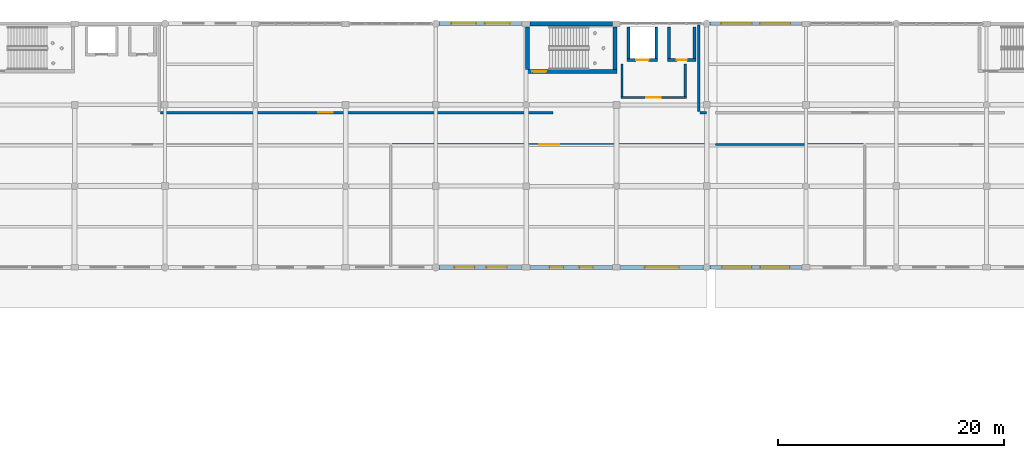
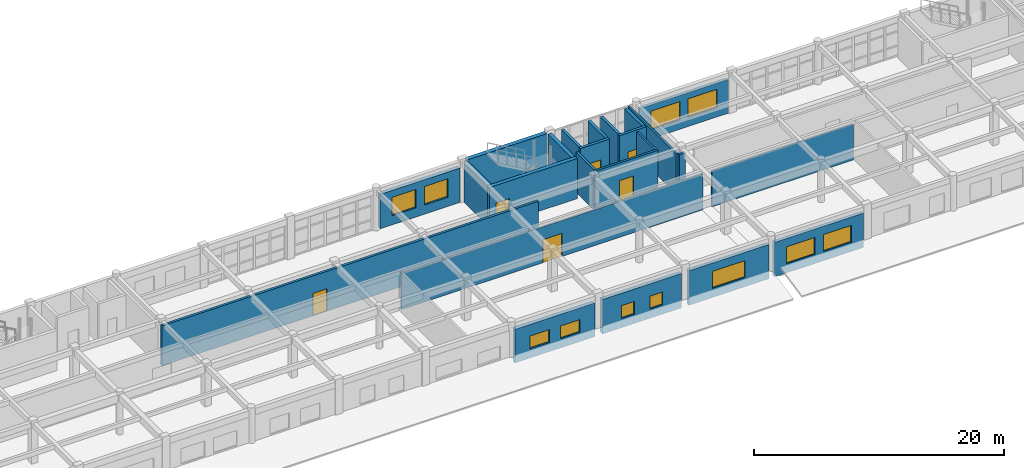
# One storey, part 108 of 121: 24 walls, 11 windows, 6 doors, 17 openings.
"""IFC4 building model written with IfcOpenShell, lengths in metres."""

from ifc_helpers import new_model, si_unit, direction, frame, frame_2d, origin, place, context, subcontext, project, spatial, rectangle, extrude, material, layer, layer_set, type_object, element, fill, save


model = new_model("IFC4")

# Units and contexts
model_context = context("Model", 3, precision=1e-05, world=origin(), true_north=direction((0.0, 1.0)))
body_context = subcontext(model_context, "Body", "Model", "MODEL_VIEW")
ifc_project = project(units=[si_unit("LENGTHUNIT", "METRE"), si_unit("AREAUNIT", "SQUARE_METRE"), si_unit("VOLUMEUNIT", "CUBIC_METRE"), si_unit("PLANEANGLEUNIT", "RADIAN"), si_unit("MASSUNIT", "GRAM", prefix="KILO")], contexts=[model_context])

# Site, building, storey
site_placement = place(None, origin())
site = spatial("IfcSite", under=ifc_project, at=site_placement, CompositionType="ELEMENT")
building_placement = place(site_placement, origin())
building = spatial("IfcBuilding", under=site, at=building_placement, Name="Kharva Crest Polytechnic", CompositionType="ELEMENT")
storey_placement = place(building_placement, frame((0.0, 0.0, 13.199951171875)))
storey = spatial("IfcBuildingStorey", under=building, at=storey_placement, Name="L03", CompositionType="ELEMENT", Elevation=13.199951171875)

# Wall, opening, door
ifc_material_1 = material(Name="Concrete C40/50", Category="concrete")
ifc_layer_1 = layer(ifc_material_1, 0.35009765625, Name="Concrete C40/50")
ifc_layer_set_1 = layer_set([ifc_layer_1], Name="Concrete C40/50")
wall_type_1 = type_object("IfcWallType", Name="WL-CORE-CW1-350", PredefinedType="SHEAR", material=ifc_layer_set_1)
wall_1_placement = place(storey_placement, frame((103.949951171875, 117.764892578125, 0.0), z_axis=(0.0, 0.0, 1.0), x_axis=(1.0, 0.0, 0.0)))
wall_1 = element("IfcWall", 1, at=wall_1_placement, inside=storey, type_object=wall_type_1, Name="L03 North Crest Firefighting Core C4 South Shear Wall", PredefinedType="SHEAR", context=body_context, shape_type="SweptSolid", body=[
    extrude(rectangle(XDim=8.10009765625, YDim=0.35009765625, at=frame_2d((4.050048828125, 0.0))), origin(), (0.0, 0.0, 1.0), 3.920166015625),
])
opening_1_placement = place(wall_1_placement, frame((0.60009765625, 0.0, 0.0)))
opening_1 = element("IfcOpeningElement", 2, at=opening_1_placement, cuts=wall_1, Name="Opening FD1B", PredefinedType="OPENING", context=body_context, shape_type="SweptSolid", body=[
    extrude(rectangle(XDim=1.25, YDim=2.199951171875, at=frame_2d((0.625, 1.10009765625))), frame((0.0, 0.18505859375, 0.0), z_axis=(0.0, -1.0, 0.0), x_axis=(1.0, 0.0, 0.0)), (0.0, 0.0, 1.0), 0.3701171875),
])
ifc_material_2 = material(Name="Teak timber", Category="wood")
door_type_1 = type_object("IfcDoorType", Name="DR-STAIR-1250X2200", OperationType="NOTDEFINED", PredefinedType="DOOR", material=ifc_material_2)
door_1_placement = place(opening_1_placement, origin())
door_1 = element("IfcDoor", 3, at=door_1_placement, inside=storey, type_object=door_type_1, Name="L03 ST-04 Stair Door", OperationType="SINGLE_SWING_RIGHT", OverallHeight=2.199951171875, OverallWidth=1.25, PredefinedType="DOOR", context=body_context, shape_type="SweptSolid", body=[
    extrude(rectangle(XDim=1.25, YDim=2.199951171875, at=frame_2d((0.625, 1.10009765625))), frame((0.0, 0.02490234375, 0.0), z_axis=(0.0, -1.0, 0.0), x_axis=(1.0, 0.0, 0.0)), (0.0, 0.0, 1.0), 0.050048828125),
])
fill(opening_1, door_1)

# Walls
for number, where, z_axis, x_axis, name in (
    (4, (104.125, 117.93994140625, 0.0), (0.0, 0.0, 1.0), (0.0, 1.0, 0.0), "L03 North Crest Firefighting Core C4 West Shear Wall"),
    (5, (111.875, 117.93994140625, 0.0), (0.0, 0.0, 1.0), (0.0, 1.0, 0.0), "L03 North Crest Firefighting Core C4 East Shear Wall"),
):
    element("IfcWall", number, at=place(storey_placement, frame(where, z_axis=z_axis, x_axis=x_axis)), inside=storey, type_object=wall_type_1, Name=name, PredefinedType="SHEAR", context=body_context, shape_type="SweptSolid", body=[
        extrude(rectangle(XDim=3.760009765625, YDim=0.35009765625, at=frame_2d((1.8798828125, 0.0))), origin(), (0.0, 0.0, 1.0), 3.920166015625),
    ])

# Wall, openings, windows
ifc_material_3 = material(Name="Kiln brick masonry", Category="masonry")
ifc_layer_2 = layer(ifc_material_3, 0.27490234375, Name="Kiln brick masonry")
ifc_layer_set_2 = layer_set([ifc_layer_2], Name="Kiln brick masonry")
wall_type_2 = type_object("IfcWallType", Name="WL-EXT-BRK-275", PredefinedType="SOLIDWALL", material=ifc_layer_set_2)
wall_2_placement = place(storey_placement, frame((128.465087890625, 122.0, 0.0), z_axis=(0.0, 0.0, 1.0), x_axis=(-1.0, 0.0, 0.0)))
wall_2 = element("IfcWall", 6, at=wall_2_placement, inside=storey, type_object=wall_type_2, Name="L03 Exterior Brick Wall 348", PredefinedType="SOLIDWALL", context=body_context, shape_type="SweptSolid", body=[
    extrude(rectangle(XDim=8.1962890625, YDim=0.27490234375, at=frame_2d((4.09814453125, 0.0))), origin(), (0.0, 0.0, 1.0), 3.31005859375),
])
opening_2_placement = place(wall_2_placement, frame((1.0390625, 0.0, 0.89990234375)))
opening_2 = element("IfcOpeningElement", 7, at=opening_2_placement, cuts=wall_2, Name="Opening W01", PredefinedType="OPENING", context=body_context, shape_type="SweptSolid", body=[
    extrude(rectangle(XDim=2.699951171875, YDim=1.800048828125, at=frame_2d((1.35009765625, 0.89990234375))), frame((0.0, 0.1474609375, 0.0), z_axis=(0.0, -1.0, 0.0), x_axis=(1.0, 0.0, 0.0)), (0.0, 0.0, 1.0), 0.294921875),
])
opening_3_placement = place(wall_2_placement, frame((4.45703125, 0.0, 0.89990234375)))
opening_3 = element("IfcOpeningElement", 8, at=opening_3_placement, cuts=wall_2, Name="Opening W01", PredefinedType="OPENING", context=body_context, shape_type="SweptSolid", body=[
    extrude(rectangle(XDim=2.699951171875, YDim=1.800048828125, at=frame_2d((1.35009765625, 0.89990234375))), frame((0.0, 0.1474609375, 0.0), z_axis=(0.0, -1.0, 0.0), x_axis=(1.0, 0.0, 0.0)), (0.0, 0.0, 1.0), 0.294921875),
])
ifc_material_4 = material(Name="Anodised aluminium", Category="aluminium")
window_type_1 = type_object("IfcWindowType", Name="WIN-ALU-2700X1800", PartitioningType="SINGLE_PANEL", PredefinedType="WINDOW", material=ifc_material_4)
window_1_placement = place(opening_2_placement, origin())
window_1 = element("IfcWindow", 9, at=window_1_placement, inside=storey, type_object=window_type_1, Name="L03 Exterior Window 477", OverallHeight=1.800048828125, OverallWidth=2.699951171875, PartitioningType="SINGLE_PANEL", PredefinedType="WINDOW", context=body_context, shape_type="SweptSolid", body=[
    extrude(rectangle(XDim=2.699951171875, YDim=1.800048828125, at=frame_2d((1.35009765625, 0.89990234375))), frame((0.0, 0.030029296875, 0.0), z_axis=(0.0, -1.0, 0.0), x_axis=(1.0, 0.0, 0.0)), (0.0, 0.0, 1.0), 0.06005859375),
])
fill(opening_2, window_1)
window_2_placement = place(opening_3_placement, origin())
window_2 = element("IfcWindow", 10, at=window_2_placement, inside=storey, type_object=window_type_1, Name="L03 Exterior Window 478", OverallHeight=1.800048828125, OverallWidth=2.699951171875, PartitioningType="SINGLE_PANEL", PredefinedType="WINDOW", context=body_context, shape_type="SweptSolid", body=[
    extrude(rectangle(XDim=2.699951171875, YDim=1.800048828125, at=frame_2d((1.35009765625, 0.89990234375))), frame((0.0, 0.030029296875, 0.0), z_axis=(0.0, -1.0, 0.0), x_axis=(1.0, 0.0, 0.0)), (0.0, 0.0, 1.0), 0.06005859375),
])
fill(opening_3, window_2)

ifc_layer_3 = layer(ifc_material_3, 0.320068359375, Name="Kiln brick masonry")
ifc_layer_set_3 = layer_set([ifc_layer_3], Name="Kiln brick masonry")
wall_type_3 = type_object("IfcWallType", Name="WL-EXT-BRK-320", PredefinedType="SOLIDWALL", material=ifc_layer_set_3)
wall_3_placement = place(storey_placement, frame((120.268798828125, 100.39990234375, 0.0), z_axis=(0.0, 0.0, 1.0), x_axis=(1.0, 0.0, 0.0)))
wall_3 = element("IfcWall", 11, at=wall_3_placement, inside=storey, type_object=wall_type_3, Name="L03 Exterior Brick Wall 377", PredefinedType="SOLIDWALL", context=body_context, shape_type="SweptSolid", body=[
    extrude(rectangle(XDim=8.1962890625, YDim=0.320068359375, at=frame_2d((4.09814453125, 0.0))), origin(), (0.0, 0.0, 1.0), 3.360107421875),
])
opening_4_placement = place(wall_3_placement, frame((1.10498046875, 0.0, 0.89990234375)))
opening_4 = element("IfcOpeningElement", 12, at=opening_4_placement, cuts=wall_3, Name="Opening W24", PredefinedType="OPENING", context=body_context, shape_type="SweptSolid", body=[
    extrude(rectangle(XDim=2.60009765625, YDim=1.64990234375, at=frame_2d((1.300048828125, 0.824951171875))), frame((0.0, 0.169921875, 0.0), z_axis=(0.0, -1.0, 0.0), x_axis=(1.0, 0.0, 0.0)), (0.0, 0.0, 1.0), 0.340087890625),
])
opening_5_placement = place(wall_3_placement, frame((4.490966796875, 0.0, 0.89990234375)))
opening_5 = element("IfcOpeningElement", 13, at=opening_5_placement, cuts=wall_3, Name="Opening W24", PredefinedType="OPENING", context=body_context, shape_type="SweptSolid", body=[
    extrude(rectangle(XDim=2.60009765625, YDim=1.64990234375, at=frame_2d((1.300048828125, 0.824951171875))), frame((0.0, 0.169921875, 0.0), z_axis=(0.0, -1.0, 0.0), x_axis=(1.0, 0.0, 0.0)), (0.0, 0.0, 1.0), 0.340087890625),
])
window_type_2 = type_object("IfcWindowType", Name="WIN-ALU-2600X1650", PartitioningType="SINGLE_PANEL", PredefinedType="WINDOW", material=ifc_material_4)
window_3_placement = place(opening_4_placement, origin())
window_3 = element("IfcWindow", 14, at=window_3_placement, inside=storey, type_object=window_type_2, Name="L03 Exterior Window 524", OverallHeight=1.64990234375, OverallWidth=2.60009765625, PartitioningType="SINGLE_PANEL", PredefinedType="WINDOW", context=body_context, shape_type="SweptSolid", body=[
    extrude(rectangle(XDim=2.60009765625, YDim=1.64990234375, at=frame_2d((1.300048828125, 0.824951171875))), frame((0.0, 0.030029296875, 0.0), z_axis=(0.0, -1.0, 0.0), x_axis=(1.0, 0.0, 0.0)), (0.0, 0.0, 1.0), 0.06005859375),
])
fill(opening_4, window_3)
window_4_placement = place(opening_5_placement, origin())
window_4 = element("IfcWindow", 15, at=window_4_placement, inside=storey, type_object=window_type_2, Name="L03 Exterior Window 525", OverallHeight=1.64990234375, OverallWidth=2.60009765625, PartitioningType="SINGLE_PANEL", PredefinedType="WINDOW", context=body_context, shape_type="SweptSolid", body=[
    extrude(rectangle(XDim=2.60009765625, YDim=1.64990234375, at=frame_2d((1.300048828125, 0.824951171875))), frame((0.0, 0.030029296875, 0.0), z_axis=(0.0, -1.0, 0.0), x_axis=(1.0, 0.0, 0.0)), (0.0, 0.0, 1.0), 0.06005859375),
])
fill(opening_5, window_4)

# Wall, opening, window
ifc_layer_4 = layer(ifc_material_3, 0.3349609375, Name="Kiln brick masonry")
ifc_layer_set_4 = layer_set([ifc_layer_4], Name="Kiln brick masonry")
wall_type_4 = type_object("IfcWallType", Name="WL-EXT-BRK-335", PredefinedType="SOLIDWALL", material=ifc_layer_set_4)
wall_4_placement = place(storey_placement, frame((112.3349609375, 100.39990234375, 0.0), z_axis=(0.0, 0.0, 1.0), x_axis=(1.0, 0.0, 0.0)))
wall_4 = element("IfcWall", 16, at=wall_4_placement, inside=storey, type_object=wall_type_4, Name="L03 Exterior Brick Wall 376", PredefinedType="SOLIDWALL", context=body_context, shape_type="SweptSolid", body=[
    extrude(rectangle(XDim=7.396240234375, YDim=0.3349609375, at=frame_2d((3.6982421875, 0.0))), origin(), (0.0, 0.0, 1.0), 3.360107421875),
])
opening_6_placement = place(wall_4_placement, frame((2.197998046875, 0.0, 0.89990234375)))
opening_6 = element("IfcOpeningElement", 17, at=opening_6_placement, cuts=wall_4, Name="Opening W23", PredefinedType="OPENING", context=body_context, shape_type="SweptSolid", body=[
    extrude(rectangle(XDim=3.0, YDim=1.64990234375, at=frame_2d((1.5, 0.824951171875))), frame((0.0, 0.177490234375, 0.0), z_axis=(0.0, -1.0, 0.0), x_axis=(1.0, 0.0, 0.0)), (0.0, 0.0, 1.0), 0.35498046875),
])
window_type_3 = type_object("IfcWindowType", Name="WIN-ALU-3000X1650", PartitioningType="SINGLE_PANEL", PredefinedType="WINDOW", material=ifc_material_4)
window_5_placement = place(opening_6_placement, origin())
window_5 = element("IfcWindow", 18, at=window_5_placement, inside=storey, type_object=window_type_3, Name="L03 Exterior Window 523", OverallHeight=1.64990234375, OverallWidth=3.0, PartitioningType="SINGLE_PANEL", PredefinedType="WINDOW", context=body_context, shape_type="SweptSolid", body=[
    extrude(rectangle(XDim=3.0, YDim=1.64990234375, at=frame_2d((1.5, 0.824951171875))), frame((0.0, 0.030029296875, 0.0), z_axis=(0.0, -1.0, 0.0), x_axis=(1.0, 0.0, 0.0)), (0.0, 0.0, 1.0), 0.06005859375),
])
fill(opening_6, window_5)

# Wall, openings, windows
ifc_layer_5 = layer(ifc_material_3, 0.35009765625, Name="Kiln brick masonry")
ifc_layer_set_5 = layer_set([ifc_layer_5], Name="Kiln brick masonry")
wall_type_5 = type_object("IfcWallType", Name="WL-EXT-BRK-350", PredefinedType="SOLIDWALL", material=ifc_layer_set_5)
wall_5_placement = place(storey_placement, frame((104.344970703125, 100.39990234375, 0.0), z_axis=(0.0, 0.0, 1.0), x_axis=(1.0, 0.0, 0.0)))
wall_5 = element("IfcWall", 19, at=wall_5_placement, inside=storey, type_object=wall_type_5, Name="L03 Exterior Brick Wall 375", PredefinedType="SOLIDWALL", context=body_context, shape_type="SweptSolid", body=[
    extrude(rectangle(XDim=7.320068359375, YDim=0.35009765625, at=frame_2d((3.66015625, 0.0))), origin(), (0.0, 0.0, 1.0), 3.360107421875),
])
opening_7_placement = place(wall_5_placement, frame((1.7470703125, 0.0, 0.89990234375)))
opening_7 = element("IfcOpeningElement", 20, at=opening_7_placement, cuts=wall_5, Name="Opening W21", PredefinedType="OPENING", context=body_context, shape_type="SweptSolid", body=[
    extrude(rectangle(XDim=1.199951171875, YDim=1.25, at=frame_2d((0.60009765625, 0.625))), frame((0.0, 0.18505859375, 0.0), z_axis=(0.0, -1.0, 0.0), x_axis=(1.0, 0.0, 0.0)), (0.0, 0.0, 1.0), 0.3701171875),
])
opening_8_placement = place(wall_5_placement, frame((4.373046875, 0.0, 0.89990234375)))
opening_8 = element("IfcOpeningElement", 21, at=opening_8_placement, cuts=wall_5, Name="Opening W21", PredefinedType="OPENING", context=body_context, shape_type="SweptSolid", body=[
    extrude(rectangle(XDim=1.199951171875, YDim=1.25, at=frame_2d((0.60009765625, 0.625))), frame((0.0, 0.18505859375, 0.0), z_axis=(0.0, -1.0, 0.0), x_axis=(1.0, 0.0, 0.0)), (0.0, 0.0, 1.0), 0.3701171875),
])
window_type_4 = type_object("IfcWindowType", Name="WIN-ALU-1200X1250", PartitioningType="SINGLE_PANEL", PredefinedType="WINDOW", material=ifc_material_4)
window_6_placement = place(opening_7_placement, origin())
window_6 = element("IfcWindow", 22, at=window_6_placement, inside=storey, type_object=window_type_4, Name="L03 Exterior Window 521", OverallHeight=1.25, OverallWidth=1.199951171875, PartitioningType="SINGLE_PANEL", PredefinedType="WINDOW", context=body_context, shape_type="SweptSolid", body=[
    extrude(rectangle(XDim=1.199951171875, YDim=1.25, at=frame_2d((0.60009765625, 0.625))), frame((0.0, 0.030029296875, 0.0), z_axis=(0.0, -1.0, 0.0), x_axis=(1.0, 0.0, 0.0)), (0.0, 0.0, 1.0), 0.06005859375),
])
fill(opening_7, window_6)
window_7_placement = place(opening_8_placement, origin())
window_7 = element("IfcWindow", 23, at=window_7_placement, inside=storey, type_object=window_type_4, Name="L03 Exterior Window 522", OverallHeight=1.25, OverallWidth=1.199951171875, PartitioningType="SINGLE_PANEL", PredefinedType="WINDOW", context=body_context, shape_type="SweptSolid", body=[
    extrude(rectangle(XDim=1.199951171875, YDim=1.25, at=frame_2d((0.60009765625, 0.625))), frame((0.0, 0.030029296875, 0.0), z_axis=(0.0, -1.0, 0.0), x_axis=(1.0, 0.0, 0.0)), (0.0, 0.0, 1.0), 0.06005859375),
])
fill(opening_8, window_7)

ifc_layer_6 = layer(ifc_material_3, 0.364990234375, Name="Kiln brick masonry")
ifc_layer_set_6 = layer_set([ifc_layer_6], Name="Kiln brick masonry")
wall_type_6 = type_object("IfcWallType", Name="WL-EXT-BRK-365", PredefinedType="SOLIDWALL", material=ifc_layer_set_6)
wall_6_placement = place(storey_placement, frame((103.655029296875, 122.0, 0.0), z_axis=(0.0, 0.0, 1.0), x_axis=(-1.0, 0.0, 0.0)))
wall_6 = element("IfcWall", 24, at=wall_6_placement, inside=storey, type_object=wall_type_6, Name="L03 Exterior Brick Wall 350", PredefinedType="SOLIDWALL", context=body_context, shape_type="SweptSolid", body=[
    extrude(rectangle(XDim=7.38623046875, YDim=0.364990234375, at=frame_2d((3.693115234375, 0.0))), origin(), (0.0, 0.0, 1.0), 3.360107421875),
])
opening_9_placement = place(wall_6_placement, frame((1.10205078125, 0.0, 0.89990234375)))
opening_9 = element("IfcOpeningElement", 25, at=opening_9_placement, cuts=wall_6, Name="Opening W03", PredefinedType="OPENING", context=body_context, shape_type="SweptSolid", body=[
    extrude(rectangle(XDim=2.199951171875, YDim=1.800048828125, at=frame_2d((1.10009765625, 0.89990234375))), frame((0.0, 0.1923828125, 0.0), z_axis=(0.0, -1.0, 0.0), x_axis=(1.0, 0.0, 0.0)), (0.0, 0.0, 1.0), 0.385009765625),
])
opening_10_placement = place(wall_6_placement, frame((4.083984375, 0.0, 0.89990234375)))
opening_10 = element("IfcOpeningElement", 26, at=opening_10_placement, cuts=wall_6, Name="Opening W03", PredefinedType="OPENING", context=body_context, shape_type="SweptSolid", body=[
    extrude(rectangle(XDim=2.199951171875, YDim=1.800048828125, at=frame_2d((1.10009765625, 0.89990234375))), frame((0.0, 0.1923828125, 0.0), z_axis=(0.0, -1.0, 0.0), x_axis=(1.0, 0.0, 0.0)), (0.0, 0.0, 1.0), 0.385009765625),
])
window_type_5 = type_object("IfcWindowType", Name="WIN-ALU-2200X1800", PartitioningType="SINGLE_PANEL", PredefinedType="WINDOW", material=ifc_material_4)
window_8_placement = place(opening_9_placement, origin())
window_8 = element("IfcWindow", 27, at=window_8_placement, inside=storey, type_object=window_type_5, Name="L03 Exterior Window 479", OverallHeight=1.800048828125, OverallWidth=2.199951171875, PartitioningType="SINGLE_PANEL", PredefinedType="WINDOW", context=body_context, shape_type="SweptSolid", body=[
    extrude(rectangle(XDim=2.199951171875, YDim=1.800048828125, at=frame_2d((1.10009765625, 0.89990234375))), frame((0.0, 0.030029296875, 0.0), z_axis=(0.0, -1.0, 0.0), x_axis=(1.0, 0.0, 0.0)), (0.0, 0.0, 1.0), 0.06005859375),
])
fill(opening_9, window_8)
window_9_placement = place(opening_10_placement, origin())
window_9 = element("IfcWindow", 28, at=window_9_placement, inside=storey, type_object=window_type_5, Name="L03 Exterior Window 480", OverallHeight=1.800048828125, OverallWidth=2.199951171875, PartitioningType="SINGLE_PANEL", PredefinedType="WINDOW", context=body_context, shape_type="SweptSolid", body=[
    extrude(rectangle(XDim=2.199951171875, YDim=1.800048828125, at=frame_2d((1.10009765625, 0.89990234375))), frame((0.0, 0.030029296875, 0.0), z_axis=(0.0, -1.0, 0.0), x_axis=(1.0, 0.0, 0.0)), (0.0, 0.0, 1.0), 0.06005859375),
])
fill(opening_10, window_9)

wall_7_placement = place(storey_placement, frame((96.268798828125, 100.39990234375, 0.0), z_axis=(0.0, 0.0, 1.0), x_axis=(1.0, 0.0, 0.0)))
wall_7 = element("IfcWall", 29, at=wall_7_placement, inside=storey, type_object=wall_type_6, Name="L03 Exterior Brick Wall 374", PredefinedType="SOLIDWALL", context=body_context, shape_type="SweptSolid", body=[
    extrude(rectangle(XDim=7.38623046875, YDim=0.364990234375, at=frame_2d((3.693115234375, 0.0))), origin(), (0.0, 0.0, 1.0), 3.280029296875),
])
opening_11_placement = place(wall_7_placement, frame((1.368896484375, 0.0, 0.89990234375)))
opening_11 = element("IfcOpeningElement", 30, at=opening_11_placement, cuts=wall_7, Name="Opening W19", PredefinedType="OPENING", context=body_context, shape_type="SweptSolid", body=[
    extrude(rectangle(XDim=1.800048828125, YDim=1.25, at=frame_2d((0.89990234375, 0.625))), frame((0.0, 0.1923828125, 0.0), z_axis=(0.0, -1.0, 0.0), x_axis=(1.0, 0.0, 0.0)), (0.0, 0.0, 1.0), 0.385009765625),
])
opening_12_placement = place(wall_7_placement, frame((4.217041015625, 0.0, 0.89990234375)))
opening_12 = element("IfcOpeningElement", 31, at=opening_12_placement, cuts=wall_7, Name="Opening W19", PredefinedType="OPENING", context=body_context, shape_type="SweptSolid", body=[
    extrude(rectangle(XDim=1.800048828125, YDim=1.25, at=frame_2d((0.89990234375, 0.625))), frame((0.0, 0.1923828125, 0.0), z_axis=(0.0, -1.0, 0.0), x_axis=(1.0, 0.0, 0.0)), (0.0, 0.0, 1.0), 0.385009765625),
])
window_type_6 = type_object("IfcWindowType", Name="WIN-ALU-1800X1250", PartitioningType="SINGLE_PANEL", PredefinedType="WINDOW", material=ifc_material_4)
window_10_placement = place(opening_11_placement, origin())
window_10 = element("IfcWindow", 32, at=window_10_placement, inside=storey, type_object=window_type_6, Name="L03 Exterior Window 519", OverallHeight=1.25, OverallWidth=1.800048828125, PartitioningType="SINGLE_PANEL", PredefinedType="WINDOW", context=body_context, shape_type="SweptSolid", body=[
    extrude(rectangle(XDim=1.800048828125, YDim=1.25, at=frame_2d((0.89990234375, 0.625))), frame((0.0, 0.030029296875, 0.0), z_axis=(0.0, -1.0, 0.0), x_axis=(1.0, 0.0, 0.0)), (0.0, 0.0, 1.0), 0.06005859375),
])
fill(opening_11, window_10)
window_11_placement = place(opening_12_placement, origin())
window_11 = element("IfcWindow", 33, at=window_11_placement, inside=storey, type_object=window_type_6, Name="L03 Exterior Window 520", OverallHeight=1.25, OverallWidth=1.800048828125, PartitioningType="SINGLE_PANEL", PredefinedType="WINDOW", context=body_context, shape_type="SweptSolid", body=[
    extrude(rectangle(XDim=1.800048828125, YDim=1.25, at=frame_2d((0.89990234375, 0.625))), frame((0.0, 0.030029296875, 0.0), z_axis=(0.0, -1.0, 0.0), x_axis=(1.0, 0.0, 0.0)), (0.0, 0.0, 1.0), 0.06005859375),
])
fill(opening_12, window_11)

# Wall
ifc_layer_7 = layer(ifc_material_3, 0.3798828125, Name="Kiln brick masonry")
ifc_layer_set_7 = layer_set([ifc_layer_7], Name="Kiln brick masonry")
wall_type_7 = type_object("IfcWallType", Name="WL-EXT-BRK-380", PredefinedType="SOLIDWALL", material=ifc_layer_set_7)
wall_8_placement = place(storey_placement, frame((111.6650390625, 122.0, 0.0), z_axis=(0.0, 0.0, 1.0), x_axis=(-1.0, 0.0, 0.0)))
element("IfcWall", 34, at=wall_8_placement, inside=storey, type_object=wall_type_7, Name="L03 Exterior Brick Wall 349", PredefinedType="SOLIDWALL", context=body_context, shape_type="SweptSolid", body=[
    extrude(rectangle(XDim=7.320068359375, YDim=0.3798828125, at=frame_2d((3.66015625, 0.0))), origin(), (0.0, 0.0, 1.0), 3.920166015625),
])

# Wall, opening, door
ifc_layer_8 = layer(ifc_material_3, 0.199951171875, Name="Kiln brick masonry")
ifc_layer_set_8 = layer_set([ifc_layer_8], Name="Kiln brick masonry")
wall_type_8 = type_object("IfcWallType", Name="WL-FIRE-FW1-200", PredefinedType="SOLIDWALL", material=ifc_layer_set_8)
wall_9_placement = place(storey_placement, frame((112.39990234375, 115.449951171875, 0.0), z_axis=(0.0, 0.0, 1.0), x_axis=(1.0, 0.0, 0.0)))
wall_9 = element("IfcWall", 35, at=wall_9_placement, inside=storey, type_object=wall_type_8, Name="L03 Firefighting Lobby FL1 South Wall", PredefinedType="SOLIDWALL", context=body_context, shape_type="SweptSolid", body=[
    extrude(rectangle(XDim=5.800048828125, YDim=0.199951171875, at=frame_2d((2.89990234375, 0.0))), origin(), (0.0, 0.0, 1.0), 3.920166015625),
])
opening_13_placement = place(wall_9_placement, frame((2.25, 0.0, 0.0)))
opening_13 = element("IfcOpeningElement", 36, at=opening_13_placement, cuts=wall_9, Name="Opening FD2", PredefinedType="OPENING", context=body_context, shape_type="SweptSolid", body=[
    extrude(rectangle(XDim=1.300048828125, YDim=2.199951171875, at=frame_2d((0.64990234375, 1.10009765625))), frame((0.0, 0.10986328125, 0.0), z_axis=(0.0, -1.0, 0.0), x_axis=(1.0, 0.0, 0.0)), (0.0, 0.0, 1.0), 0.219970703125),
])
door_type_2 = type_object("IfcDoorType", Name="DR-FFLOB-1300X2200", OperationType="NOTDEFINED", PredefinedType="DOOR", material=ifc_material_2)
door_2_placement = place(opening_13_placement, origin())
door_2 = element("IfcDoor", 37, at=door_2_placement, inside=storey, type_object=door_type_2, Name="L03 Firefighting Lobby FL1 Smoke Door", OperationType="SINGLE_SWING_LEFT", OverallHeight=2.199951171875, OverallWidth=1.300048828125, PredefinedType="DOOR", context=body_context, shape_type="SweptSolid", body=[
    extrude(rectangle(XDim=1.300048828125, YDim=2.199951171875, at=frame_2d((0.64990234375, 1.10009765625))), frame((0.0, 0.02490234375, 0.0), z_axis=(0.0, -1.0, 0.0), x_axis=(1.0, 0.0, 0.0)), (0.0, 0.0, 1.0), 0.050048828125),
])
fill(opening_13, door_2)

# Walls
for number, where, z_axis, x_axis, name in (
    (38, (112.5, 115.550048828125, 0.0), (0.0, 0.0, 1.0), (0.0, 1.0, 0.0), "L03 Firefighting Lobby FL1 West Wall"),
    (39, (118.10009765625, 115.550048828125, 0.0), (0.0, 0.0, 1.0), (0.0, 1.0, 0.0), "L03 Firefighting Lobby FL1 East Wall"),
):
    element("IfcWall", number, at=place(storey_placement, frame(where, z_axis=z_axis, x_axis=x_axis)), inside=storey, type_object=wall_type_8, Name=name, PredefinedType="SOLIDWALL", context=body_context, shape_type="SweptSolid", body=[
        extrude(rectangle(XDim=2.849853515625, YDim=0.199951171875, at=frame_2d((1.4248046875, 0.0))), origin(), (0.0, 0.0, 1.0), 3.920166015625),
    ])

# Wall, opening, door
ifc_layer_9 = layer(ifc_material_3, 0.159912109375, Name="Kiln brick masonry")
ifc_layer_set_9 = layer_set([ifc_layer_9], Name="Kiln brick masonry")
wall_type_9 = type_object("IfcWallType", Name="WL-PART-160", PredefinedType="PARTITIONING", material=ifc_layer_set_9)
wall_10_placement = place(storey_placement, frame((92.1201171875, 111.2900390625, 0.0), z_axis=(0.0, 0.0, 1.0), x_axis=(1.0, 0.0, 0.0)))
wall_10 = element("IfcWall", 40, at=wall_10_placement, inside=storey, type_object=wall_type_9, Name="L03 Interior Partition 312 W", PredefinedType="PARTITIONING", context=body_context, shape_type="SweptSolid", body=[
    extrude(rectangle(XDim=27.8798828125, YDim=0.159912109375, at=frame_2d((13.93994140625, 0.0))), origin(), (0.0, 0.0, 1.0), 3.5),
])
opening_14_placement = place(wall_10_placement, frame((13.06494140625, 0.0, 0.0)))
opening_14 = element("IfcOpeningElement", 41, at=opening_14_placement, cuts=wall_10, Name="Opening ID5", PredefinedType="OPENING", context=body_context, shape_type="SweptSolid", body=[
    extrude(rectangle(XDim=1.75, YDim=2.25, at=frame_2d((0.875, 1.125))), frame((0.0, 0.08984375, 0.0), z_axis=(0.0, -1.0, 0.0), x_axis=(1.0, 0.0, 0.0)), (0.0, 0.0, 1.0), 0.179931640625),
])
door_type_3 = type_object("IfcDoorType", Name="DR-LIB-DBL-1750X2250", OperationType="NOTDEFINED", PredefinedType="DOOR", material=ifc_material_2)
door_3_placement = place(opening_14_placement, origin())
door_3 = element("IfcDoor", 42, at=door_3_placement, inside=storey, type_object=door_type_3, Name="L03 Technical Book Stack L03 Door", OperationType="DOUBLE_DOOR_SINGLE_SWING", OverallHeight=2.25, OverallWidth=1.75, PredefinedType="DOOR", context=body_context, shape_type="SweptSolid", body=[
    extrude(rectangle(XDim=1.75, YDim=2.25, at=frame_2d((0.875, 1.125))), frame((0.0, 0.02490234375, 0.0), z_axis=(0.0, -1.0, 0.0), x_axis=(1.0, 0.0, 0.0)), (0.0, 0.0, 1.0), 0.050048828125),
])
fill(opening_14, door_3)

# Walls
wall_11_placement = place(storey_placement, frame((120.800048828125, 111.2900390625, 0.0), z_axis=(0.0, 0.0, 1.0), x_axis=(1.0, 0.0, 0.0)))
element("IfcWall", 43, at=wall_11_placement, inside=storey, type_object=wall_type_9, Name="L03 Interior Partition 312 E", PredefinedType="PARTITIONING", context=body_context, shape_type="SweptSolid", body=[
    extrude(rectangle(XDim=13.08984375, YDim=0.159912109375, at=frame_2d((6.544921875, 0.0))), origin(), (0.0, 0.0, 1.0), 3.5),
])
ifc_layer_10 = layer(ifc_material_3, 0.18994140625, Name="Kiln brick masonry")
ifc_layer_set_10 = layer_set([ifc_layer_10], Name="Kiln brick masonry")
wall_type_10 = type_object("IfcWallType", Name="WL-PART-190", PredefinedType="PARTITIONING", material=ifc_layer_set_10)
wall_12_placement = place(storey_placement, frame((119.300048828125, 114.219970703125, 0.0), z_axis=(0.0, 0.0, 1.0), x_axis=(0.0, 1.0, 0.0)))
element("IfcWall", 44, at=wall_12_placement, inside=storey, type_object=wall_type_10, Name="L03 Interior Partition 323", PredefinedType="PARTITIONING", context=body_context, shape_type="SweptSolid", body=[
    extrude(rectangle(XDim=7.669921875, YDim=0.18994140625, at=frame_2d((3.8349609375, 0.0))), origin(), (0.0, 0.0, 1.0), 3.900146484375),
])
ifc_layer_11 = layer(ifc_material_3, 0.205078125, Name="Kiln brick masonry")
ifc_layer_set_11 = layer_set([ifc_layer_11], Name="Kiln brick masonry")
wall_type_11 = type_object("IfcWallType", Name="WL-PART-205", PredefinedType="PARTITIONING", material=ifc_layer_set_11)
wall_13_placement = place(storey_placement, frame((119.409912109375, 114.110107421875, 0.0), z_axis=(0.0, 0.0, 1.0), x_axis=(1.0, 0.0, 0.0)))
element("IfcWall", 45, at=wall_13_placement, inside=storey, type_object=wall_type_11, Name="L03 Interior Partition 322 W", PredefinedType="PARTITIONING", context=body_context, shape_type="SweptSolid", body=[
    extrude(rectangle(XDim=0.590087890625, YDim=0.205078125, at=frame_2d((0.294921875, 0.0))), origin(), (0.0, 0.0, 1.0), 3.900146484375),
])

# Wall, opening, door
ifc_layer_12 = layer(ifc_material_3, 0.22509765625, Name="Kiln brick masonry")
ifc_layer_set_12 = layer_set([ifc_layer_12], Name="Kiln brick masonry")
wall_type_12 = type_object("IfcWallType", Name="WL-PART-225", PredefinedType="PARTITIONING", material=ifc_layer_set_12)
wall_14_placement = place(storey_placement, frame((71.610107421875, 114.110107421875, 0.0), z_axis=(0.0, 0.0, 1.0), x_axis=(1.0, 0.0, 0.0)))
wall_14 = element("IfcWall", 46, at=wall_14_placement, inside=storey, type_object=wall_type_12, Name="L03 Interior Partition 320", PredefinedType="PARTITIONING", context=body_context, shape_type="SweptSolid", body=[
    extrude(rectangle(XDim=34.769775390625, YDim=0.22509765625, at=frame_2d((17.384765625, 0.0))), origin(), (0.0, 0.0, 1.0), 3.900146484375),
])
opening_15_placement = place(wall_14_placement, frame((13.962890625, 0.0, 0.0)))
opening_15 = element("IfcOpeningElement", 47, at=opening_15_placement, cuts=wall_14, Name="Opening ID7", PredefinedType="OPENING", context=body_context, shape_type="SweptSolid", body=[
    extrude(rectangle(XDim=1.280029296875, YDim=2.199951171875, at=frame_2d((0.64013671875, 1.10009765625))), frame((0.0, 0.12255859375, 0.0), z_axis=(0.0, -1.0, 0.0), x_axis=(1.0, 0.0, 0.0)), (0.0, 0.0, 1.0), 0.2451171875),
])
door_type_4 = type_object("IfcDoorType", Name="DR-LAB-1280X2200", OperationType="NOTDEFINED", PredefinedType="DOOR", material=ifc_material_2)
door_4_placement = place(opening_15_placement, origin())
door_4 = element("IfcDoor", 48, at=door_4_placement, inside=storey, type_object=door_type_4, Name="L03 VLSI Microelectronics Laboratory Door", OperationType="SINGLE_SWING_LEFT", OverallHeight=2.199951171875, OverallWidth=1.280029296875, PredefinedType="DOOR", context=body_context, shape_type="SweptSolid", body=[
    extrude(rectangle(XDim=1.280029296875, YDim=2.199951171875, at=frame_2d((0.64013671875, 1.10009765625))), frame((0.0, 0.02490234375, 0.0), z_axis=(0.0, -1.0, 0.0), x_axis=(1.0, 0.0, 0.0)), (0.0, 0.0, 1.0), 0.050048828125),
])
fill(opening_15, door_4)

ifc_layer_13 = layer(ifc_material_1, 0.25, Name="Concrete C40/50")
ifc_layer_set_13 = layer_set([ifc_layer_13], Name="Concrete C40/50")
wall_type_13 = type_object("IfcWallType", Name="WL-SHEAR-SW1-250", PredefinedType="SHEAR", material=ifc_layer_set_13)
wall_15_placement = place(storey_placement, frame((112.949951171875, 118.77490234375, 0.0), z_axis=(0.0, 0.0, 1.0), x_axis=(1.0, 0.0, 0.0)))
wall_15 = element("IfcWall", 49, at=wall_15_placement, inside=storey, type_object=wall_type_13, Name="L03 Lift FL1 South Shaft Wall", PredefinedType="SHEAR", context=body_context, shape_type="SweptSolid", body=[
    extrude(rectangle(XDim=2.699951171875, YDim=0.25, at=frame_2d((1.35009765625, 0.0))), origin(), (0.0, 0.0, 1.0), 3.920166015625),
])
opening_16_placement = place(wall_15_placement, frame((0.800048828125, 0.0, 0.0)))
opening_16 = element("IfcOpeningElement", 50, at=opening_16_placement, cuts=wall_15, Name="Opening LD1", PredefinedType="OPENING", context=body_context, shape_type="SweptSolid", body=[
    extrude(rectangle(XDim=1.10009765625, YDim=2.14990234375, at=frame_2d((0.550048828125, 1.074951171875))), frame((0.0, 0.135009765625, 0.0), z_axis=(0.0, -1.0, 0.0), x_axis=(1.0, 0.0, 0.0)), (0.0, 0.0, 1.0), 0.27001953125),
])
door_type_5 = type_object("IfcDoorType", Name="DR-LIFT-LD1-1100X2150", OperationType="SLIDING_TO_LEFT", PredefinedType="DOOR", material=ifc_material_4)
door_5_placement = place(opening_16_placement, origin())
door_5 = element("IfcDoor", 51, at=door_5_placement, inside=storey, type_object=door_type_5, Name="L03 Lift FL1 Sliding Landing Door", OperationType="SLIDING_TO_LEFT", OverallHeight=2.14990234375, OverallWidth=1.10009765625, PredefinedType="DOOR", context=body_context, shape_type="SweptSolid", body=[
    extrude(rectangle(XDim=1.10009765625, YDim=2.14990234375, at=frame_2d((0.550048828125, 1.074951171875))), frame((0.0, 0.02490234375, 0.0), z_axis=(0.0, -1.0, 0.0), x_axis=(1.0, 0.0, 0.0)), (0.0, 0.0, 1.0), 0.050048828125),
])
fill(opening_16, door_5)

# Walls
for number, where, z_axis, x_axis, name in (
    (52, (113.074951171875, 118.89990234375, 0.0), (0.0, 0.0, 1.0), (0.0, 1.0, 0.0), "L03 Lift FL1 West Shaft Wall"),
    (53, (115.52490234375, 118.89990234375, 0.0), (0.0, 0.0, 1.0), (0.0, 1.0, 0.0), "L03 Lift FL1 East Shaft Wall"),
):
    element("IfcWall", number, at=place(storey_placement, frame(where, z_axis=z_axis, x_axis=x_axis)), inside=storey, type_object=wall_type_13, Name=name, PredefinedType="SHEAR", context=body_context, shape_type="SweptSolid", body=[
        extrude(rectangle(XDim=2.800048828125, YDim=0.25, at=frame_2d((1.39990234375, 0.0))), origin(), (0.0, 0.0, 1.0), 3.920166015625),
    ])

# Wall, opening, door
wall_16_placement = place(storey_placement, frame((116.550048828125, 118.77490234375, 0.0), z_axis=(0.0, 0.0, 1.0), x_axis=(1.0, 0.0, 0.0)))
wall_16 = element("IfcWall", 54, at=wall_16_placement, inside=storey, type_object=wall_type_13, Name="L03 Core C4 Riser South Wall", PredefinedType="SHEAR", context=body_context, shape_type="SweptSolid", body=[
    extrude(rectangle(XDim=2.5, YDim=0.25, at=frame_2d((1.25, 0.0))), origin(), (0.0, 0.0, 1.0), 3.920166015625),
])
opening_17_placement = place(wall_16_placement, frame((0.800048828125, 0.0, 0.0)))
opening_17 = element("IfcOpeningElement", 55, at=opening_17_placement, cuts=wall_16, Name="Opening FD3", PredefinedType="OPENING", context=body_context, shape_type="SweptSolid", body=[
    extrude(rectangle(XDim=0.89990234375, YDim=2.050048828125, at=frame_2d((0.449951171875, 1.02490234375))), frame((0.0, 0.135009765625, 0.0), z_axis=(0.0, -1.0, 0.0), x_axis=(1.0, 0.0, 0.0)), (0.0, 0.0, 1.0), 0.27001953125),
])
door_type_6 = type_object("IfcDoorType", Name="DR-RISER-900X2050", OperationType="NOTDEFINED", PredefinedType="DOOR", material=ifc_material_4)
door_6_placement = place(opening_17_placement, origin())
door_6 = element("IfcDoor", 56, at=door_6_placement, inside=storey, type_object=door_type_6, Name="L03 Core C4 Riser Access Door", OperationType="SINGLE_SWING_RIGHT", OverallHeight=2.050048828125, OverallWidth=0.89990234375, PredefinedType="DOOR", context=body_context, shape_type="SweptSolid", body=[
    extrude(rectangle(XDim=0.89990234375, YDim=2.050048828125, at=frame_2d((0.449951171875, 1.02490234375))), frame((0.0, 0.02490234375, 0.0), z_axis=(0.0, -1.0, 0.0), x_axis=(1.0, 0.0, 0.0)), (0.0, 0.0, 1.0), 0.050048828125),
])
fill(opening_17, door_6)

# Walls
for number, where, z_axis, x_axis, name in (
    (57, (116.675048828125, 118.89990234375, 0.0), (0.0, 0.0, 1.0), (0.0, 1.0, 0.0), "L03 Core C4 Riser West Wall"),
    (58, (118.925048828125, 118.89990234375, 0.0), (0.0, 0.0, 1.0), (0.0, 1.0, 0.0), "L03 Core C4 Riser East Wall"),
):
    element("IfcWall", number, at=place(storey_placement, frame(where, z_axis=z_axis, x_axis=x_axis)), inside=storey, type_object=wall_type_13, Name=name, PredefinedType="SHEAR", context=body_context, shape_type="SweptSolid", body=[
        extrude(rectangle(XDim=2.800048828125, YDim=0.25, at=frame_2d((1.39990234375, 0.0))), origin(), (0.0, 0.0, 1.0), 3.920166015625),
    ])

save(model, "model.ifc")
